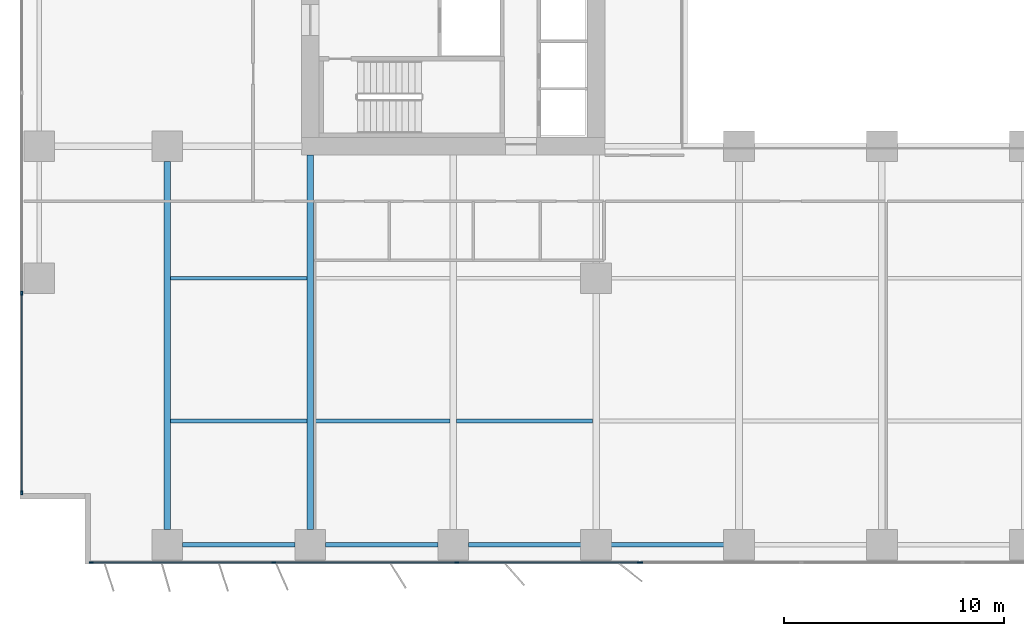
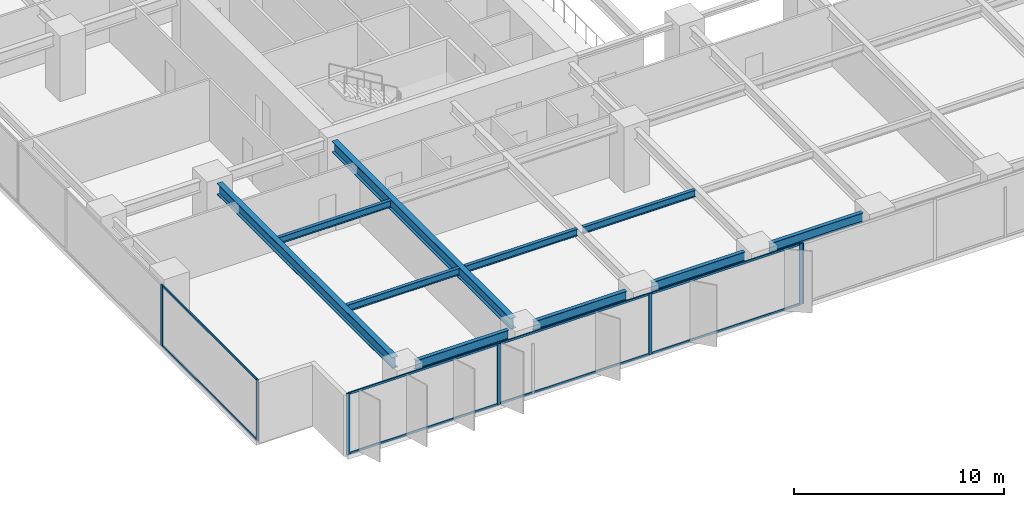
# One storey, part 2 of 20: 15 members, 10 beams, 3 elements without a shape of their own.
"""IFC4 building model written with IfcOpenShell, lengths in metres."""

from ifc_helpers import new_model, si_unit, direction, frame, origin, origin_2d, place, context, subcontext, project, spatial, rectangle, i_section, extrude, material, layer, layer_set, material_profile, profile_set, type_object, element, aggregate, save


model = new_model("IFC4")

# Units and contexts
model_context = context("Model", 3, precision=1e-05, world=origin(), true_north=direction((0.0, 1.0)))
body_context = subcontext(model_context, "Body", "Model", "MODEL_VIEW")
ifc_project = project(units=[si_unit("LENGTHUNIT", "METRE"), si_unit("AREAUNIT", "SQUARE_METRE"), si_unit("VOLUMEUNIT", "CUBIC_METRE"), si_unit("PLANEANGLEUNIT", "RADIAN"), si_unit("MASSUNIT", "GRAM", prefix="KILO")], contexts=[model_context])

# Site, building, storey
site_placement = place(None, origin())
site = spatial("IfcSite", under=ifc_project, at=site_placement, CompositionType="ELEMENT")
building_placement = place(site_placement, origin())
building = spatial("IfcBuilding", under=site, at=building_placement, Name="Putna Gate Headquarters", CompositionType="ELEMENT")
storey_placement = place(building_placement, frame((0.0, 0.0, 43.0)))
storey = spatial("IfcBuildingStorey", under=building, at=storey_placement, Name="L09", CompositionType="ELEMENT", Elevation=43.0)

# Beams
ifc_material_1 = material(Name="Steel S355J2", Category="steel")
ifc_material_profile_1 = material_profile(ifc_material_1, i_section(OverallWidth=0.300048828125, OverallDepth=0.64990234375, WebThickness=0.01611328125, FlangeThickness=0.031005859375, at=origin_2d()), Name="Steel S355J2")
ifc_profile_set_1 = profile_set([ifc_material_profile_1], Name="Steel S355J2")
beam_type_1 = type_object("IfcBeamType", Name="BM-GIRD-Z1-HEB650", PredefinedType="USERDEFINED", material=ifc_profile_set_1)
beam_1_placement = place(storey_placement, frame((6.5, 1.568115234375, 3.22509765625), z_axis=(0.0, 1.0, 0.0), x_axis=(-1.0, 0.0, 0.0)))
element("IfcBeam", 1, at=beam_1_placement, inside=storey, type_object=beam_type_1, Name="L09 South Primary Girder X6", ObjectType="GIRDER", PredefinedType="USERDEFINED", context=body_context, shape_type="SweptSolid", body=[
    extrude(i_section(OverallWidth=0.300048828125, OverallDepth=0.64990234375, WebThickness=0.01611328125, FlangeThickness=0.031005859375, at=origin_2d()), origin(), (0.0, 0.0, 1.0), 16.743896484375),
])
beam_2_placement = place(storey_placement, frame((13.0, 1.568115234375, 3.22509765625), z_axis=(0.0, 1.0, 0.0), x_axis=(-1.0, 0.0, 0.0)))
element("IfcBeam", 2, at=beam_2_placement, inside=storey, type_object=beam_type_1, Name="L09 South Primary Girder X13", ObjectType="GIRDER", PredefinedType="USERDEFINED", context=body_context, shape_type="SweptSolid", body=[
    extrude(i_section(OverallWidth=0.300048828125, OverallDepth=0.64990234375, WebThickness=0.01611328125, FlangeThickness=0.031005859375, at=origin_2d()), origin(), (0.0, 0.0, 1.0), 17.046875),
])
ifc_material_profile_2 = material_profile(ifc_material_1, i_section(OverallWidth=0.179931640625, OverallDepth=0.39990234375, WebThickness=0.008544921875, FlangeThickness=0.013427734375, at=origin_2d()), Name="Steel S355J2")
ifc_profile_set_2 = profile_set([ifc_material_profile_2], Name="Steel S355J2")
beam_type_2 = type_object("IfcBeamType", Name="BM-SEC-Z1-IPE400", PredefinedType="BEAM", material=ifc_profile_set_2)
for number, where, z_axis, x_axis, name in (
    (3, (6.654052734375, 6.5, 3.35009765625), (1.0, 0.0, 0.0), (0.0, 1.0, 0.0), "L09 South Secondary Beam 1"),
    (4, (6.654052734375, 13.0, 3.35009765625), (1.0, 0.0, 0.0), (0.0, 1.0, 0.0), "L09 South Secondary Beam 1"),
    (5, (13.154052734375, 6.5, 3.35009765625), (1.0, 0.0, 0.0), (0.0, 1.0, 0.0), "L09 South Secondary Beam 2"),
    (6, (19.654052734375, 6.5, 3.35009765625), (1.0, 0.0, 0.0), (0.0, 1.0, 0.0), "L09 South Secondary Beam 3"),
):
    element("IfcBeam", number, at=place(storey_placement, frame(where, z_axis=z_axis, x_axis=x_axis)), inside=storey, type_object=beam_type_2, Name=name, PredefinedType="BEAM", context=body_context, shape_type="SweptSolid", body=[
        extrude(i_section(OverallWidth=0.179931640625, OverallDepth=0.39990234375, WebThickness=0.008544921875, FlangeThickness=0.013427734375, at=origin_2d()), origin(), (0.0, 0.0, 1.0), 6.19189453125),
    ])
ifc_material_profile_3 = material_profile(ifc_material_1, i_section(OverallWidth=0.2099609375, OverallDepth=0.550048828125, WebThickness=0.010986328125, FlangeThickness=0.01708984375, at=origin_2d()), Name="Steel S355J2")
ifc_profile_set_3 = profile_set([ifc_material_profile_3], Name="Steel S355J2")
beam_type_3 = type_object("IfcBeamType", Name="BM-SPAN-Z1-IPE550", PredefinedType="SPANDREL", material=ifc_profile_set_3)
for number, where, z_axis, x_axis, name in (
    (7, (7.18798828125, 0.8798828125, 3.27490234375), (1.0, 0.0, 0.0), (0.0, 1.0, 0.0), "L09 S Perimeter Spandrel 1"),
    (8, (13.68798828125, 0.8798828125, 3.27490234375), (1.0, 0.0, 0.0), (0.0, 1.0, 0.0), "L09 S Perimeter Spandrel 2"),
    (9, (20.18798828125, 0.8798828125, 3.27490234375), (1.0, 0.0, 0.0), (0.0, 1.0, 0.0), "L09 S Perimeter Spandrel 3"),
    (10, (26.68798828125, 0.8798828125, 3.27490234375), (1.0, 0.0, 0.0), (0.0, 1.0, 0.0), "L09 S Perimeter Spandrel 4"),
):
    element("IfcBeam", number, at=place(storey_placement, frame(where, z_axis=z_axis, x_axis=x_axis)), inside=storey, type_object=beam_type_3, Name=name, PredefinedType="SPANDREL", context=body_context, shape_type="SweptSolid", body=[
        extrude(i_section(OverallWidth=0.2099609375, OverallDepth=0.550048828125, WebThickness=0.010986328125, FlangeThickness=0.01708984375, at=origin_2d()), origin(), (0.0, 0.0, 1.0), 5.1240234375),
    ])

# Curtain wall, members
ifc_material_2 = material(Name="Anodised bronze aluminium curtain wall", Category="aluminium")
ifc_layer_1 = layer(ifc_material_2, 0.179931640625)
ifc_layer_set_1 = layer_set([ifc_layer_1], Name="Anodised bronze aluminium curtain wall")
curtain_wall_type_1 = type_object("IfcCurtainWallType", Name="CW-SYS-Z1", PredefinedType="USERDEFINED", material=ifc_layer_set_1)
curtain_wall_1_placement = place(storey_placement, origin())
curtain_wall_1 = element("IfcCurtainWall", 11, at=curtain_wall_1_placement, inside=storey, type_object=curtain_wall_type_1, Name="L09 South West Curtain Wall", ObjectType="STICK CURTAIN WALL", PredefinedType="USERDEFINED")
ifc_material_3 = material(Name="Anodised bronze aluminium EN AW-6060", Category="aluminium")
ifc_material_profile_4 = material_profile(ifc_material_3, rectangle(XDim=0.070068359375, YDim=0.179931640625, at=origin_2d()), Name="Anodised bronze aluminium EN AW-6060")
ifc_profile_set_4 = profile_set([ifc_material_profile_4], Name="Anodised bronze aluminium EN AW-6060")
member_type_1 = type_object("IfcMemberType", Name="MULL-CWM-1", PredefinedType="MULLION", material=ifc_profile_set_4)
member_1_placement = place(storey_placement, frame((3.034912109375, 0.080078125, 0.0), z_axis=(0.0, 0.0, 1.0), x_axis=(0.0, 1.0, 0.0)))
member_1 = element("IfcMember", 12, at=member_1_placement, type_object=member_type_1, Name="CWS-1 mullion 1", PredefinedType="MULLION", context=body_context, shape_type="SweptSolid", body=[
    extrude(rectangle(XDim=0.070068359375, YDim=0.179931640625, at=origin_2d()), origin(), (0.0, 0.0, 1.0), 3.550048828125),
])
member_2_placement = place(storey_placement, frame((11.333251953125, 0.080078125, 0.0), z_axis=(0.0, 0.0, 1.0), x_axis=(0.0, 1.0, 0.0)))
member_2 = element("IfcMember", 13, at=member_2_placement, type_object=member_type_1, Name="CWS-1 mullion 2", PredefinedType="MULLION", context=body_context, shape_type="SweptSolid", body=[
    extrude(rectangle(XDim=0.070068359375, YDim=0.179931640625, at=origin_2d()), origin(), (0.0, 0.0, 1.0), 3.550048828125),
])
member_3_placement = place(storey_placement, frame((19.666748046875, 0.080078125, 0.0), z_axis=(0.0, 0.0, 1.0), x_axis=(0.0, 1.0, 0.0)))
member_3 = element("IfcMember", 14, at=member_3_placement, type_object=member_type_1, Name="CWS-1 mullion 3", PredefinedType="MULLION", context=body_context, shape_type="SweptSolid", body=[
    extrude(rectangle(XDim=0.070068359375, YDim=0.179931640625, at=origin_2d()), origin(), (0.0, 0.0, 1.0), 3.550048828125),
])
member_4_placement = place(storey_placement, frame((27.965087890625, 0.080078125, 0.0), z_axis=(0.0, 0.0, 1.0), x_axis=(0.0, 1.0, 0.0)))
member_4 = element("IfcMember", 15, at=member_4_placement, type_object=member_type_1, Name="CWS-1 mullion 4", PredefinedType="MULLION", context=body_context, shape_type="SweptSolid", body=[
    extrude(rectangle(XDim=0.070068359375, YDim=0.179931640625, at=origin_2d()), origin(), (0.0, 0.0, 1.0), 3.550048828125),
])

curtain_wall_2_placement = place(storey_placement, origin())
curtain_wall_2 = element("IfcCurtainWall", 16, at=curtain_wall_2_placement, inside=storey, type_object=curtain_wall_type_1, Name="L09 West Curtain Wall", ObjectType="STICK CURTAIN WALL", PredefinedType="USERDEFINED")
member_5_placement = place(storey_placement, frame((-0.1201171875, 3.235107421875, 0.0), z_axis=(0.0, 0.0, 1.0), x_axis=(-1.0, 0.0, 0.0)))
member_5 = element("IfcMember", 17, at=member_5_placement, type_object=member_type_1, Name="CWS-1 mullion 1", PredefinedType="MULLION", context=body_context, shape_type="SweptSolid", body=[
    extrude(rectangle(XDim=0.070068359375, YDim=0.179931640625, at=origin_2d()), origin(), (0.0, 0.0, 1.0), 3.550048828125),
])
member_6_placement = place(storey_placement, frame((-0.1201171875, 12.320068359375, 0.0), z_axis=(0.0, 0.0, 1.0), x_axis=(-1.0, 0.0, 0.0)))
member_6 = element("IfcMember", 18, at=member_6_placement, type_object=member_type_1, Name="CWS-1 mullion 2", PredefinedType="MULLION", context=body_context, shape_type="SweptSolid", body=[
    extrude(rectangle(XDim=0.070068359375, YDim=0.179931640625, at=origin_2d()), origin(), (0.0, 0.0, 1.0), 3.550048828125),
])

# Curtain wall, member
ifc_layer_2 = layer(ifc_material_2, 0.179931640625)
ifc_layer_set_2 = layer_set([ifc_layer_2], Name="Anodised bronze aluminium curtain wall")
curtain_wall_type_2 = type_object("IfcCurtainWallType", Name="CW-SYS-ATR", PredefinedType="USERDEFINED", material=ifc_layer_set_2)
curtain_wall_3_placement = place(storey_placement, origin())
curtain_wall_3 = element("IfcCurtainWall", 19, at=curtain_wall_3_placement, inside=storey, type_object=curtain_wall_type_2, Name="L09 South Atrium Clear Glazing", ObjectType="ATRIUM GLAZING", PredefinedType="USERDEFINED")
ifc_material_profile_5 = material_profile(ifc_material_3, rectangle(XDim=0.070068359375, YDim=0.179931640625, at=origin_2d()), Name="Anodised bronze aluminium EN AW-6060")
ifc_profile_set_5 = profile_set([ifc_material_profile_5], Name="Anodised bronze aluminium EN AW-6060")
member_type_2 = type_object("IfcMemberType", Name="MULL-CWM-AT", PredefinedType="MULLION", material=ifc_profile_set_5)
member_7_placement = place(storey_placement, frame((28.034912109375, 0.080078125, 0.0), z_axis=(0.0, 0.0, 1.0), x_axis=(0.0, 1.0, 0.0)))
member_7 = element("IfcMember", 20, at=member_7_placement, type_object=member_type_2, Name="CWS-AT mullion 1", PredefinedType="MULLION", context=body_context, shape_type="SweptSolid", body=[
    extrude(rectangle(XDim=0.070068359375, YDim=0.179931640625, at=origin_2d()), origin(), (0.0, 0.0, 1.0), 3.550048828125),
])
aggregate(curtain_wall_3, [member_7])

# Member
ifc_material_profile_6 = material_profile(ifc_material_3, rectangle(XDim=0.06494140625, YDim=0.1201171875, at=origin_2d()), Name="Anodised bronze aluminium EN AW-6060")
ifc_profile_set_6 = profile_set([ifc_material_profile_6], Name="Anodised bronze aluminium EN AW-6060")
member_type_3 = type_object("IfcMemberType", Name="TRAN-CWT-1", PredefinedType="USERDEFINED", material=ifc_profile_set_6)
member_8_placement = place(storey_placement, frame((3.070068359375, 0.080078125, 0.032470703125), z_axis=(1.0, 0.0, 0.0), x_axis=(0.0, 1.0, 0.0)))
member_8 = element("IfcMember", 21, at=member_8_placement, type_object=member_type_3, Name="CWS-1 transom 1.1", ObjectType="TRANSOM", PredefinedType="USERDEFINED", context=body_context, shape_type="SweptSolid", body=[
    extrude(rectangle(XDim=0.06494140625, YDim=0.1201171875, at=origin_2d()), origin(), (0.0, 0.0, 1.0), 8.228271484375),
])

member_9_placement = place(storey_placement, frame((3.070068359375, 0.080078125, 3.517578125), z_axis=(1.0, 0.0, 0.0), x_axis=(0.0, 1.0, 0.0)))
member_9 = element("IfcMember", 22, at=member_9_placement, type_object=member_type_3, Name="CWS-1 transom 1.2", ObjectType="TRANSOM", PredefinedType="USERDEFINED", context=body_context, shape_type="SweptSolid", body=[
    extrude(rectangle(XDim=0.06494140625, YDim=0.1201171875, at=origin_2d()), origin(), (0.0, 0.0, 1.0), 8.228271484375),
])

member_10_placement = place(storey_placement, frame((11.368408203125, 0.080078125, 0.032470703125), z_axis=(1.0, 0.0, 0.0), x_axis=(0.0, 1.0, 0.0)))
member_10 = element("IfcMember", 23, at=member_10_placement, type_object=member_type_3, Name="CWS-1 transom 2.1", ObjectType="TRANSOM", PredefinedType="USERDEFINED", context=body_context, shape_type="SweptSolid", body=[
    extrude(rectangle(XDim=0.06494140625, YDim=0.1201171875, at=origin_2d()), origin(), (0.0, 0.0, 1.0), 8.26318359375),
])

member_11_placement = place(storey_placement, frame((11.368408203125, 0.080078125, 3.517578125), z_axis=(1.0, 0.0, 0.0), x_axis=(0.0, 1.0, 0.0)))
member_11 = element("IfcMember", 24, at=member_11_placement, type_object=member_type_3, Name="CWS-1 transom 2.2", ObjectType="TRANSOM", PredefinedType="USERDEFINED", context=body_context, shape_type="SweptSolid", body=[
    extrude(rectangle(XDim=0.06494140625, YDim=0.1201171875, at=origin_2d()), origin(), (0.0, 0.0, 1.0), 8.26318359375),
])

member_12_placement = place(storey_placement, frame((19.70166015625, 0.080078125, 0.032470703125), z_axis=(1.0, 0.0, 0.0), x_axis=(0.0, 1.0, 0.0)))
member_12 = element("IfcMember", 25, at=member_12_placement, type_object=member_type_3, Name="CWS-1 transom 3.1", ObjectType="TRANSOM", PredefinedType="USERDEFINED", context=body_context, shape_type="SweptSolid", body=[
    extrude(rectangle(XDim=0.06494140625, YDim=0.1201171875, at=origin_2d()), origin(), (0.0, 0.0, 1.0), 8.228271484375),
])

member_13_placement = place(storey_placement, frame((19.70166015625, 0.080078125, 3.517578125), z_axis=(1.0, 0.0, 0.0), x_axis=(0.0, 1.0, 0.0)))
member_13 = element("IfcMember", 26, at=member_13_placement, type_object=member_type_3, Name="CWS-1 transom 3.2", ObjectType="TRANSOM", PredefinedType="USERDEFINED", context=body_context, shape_type="SweptSolid", body=[
    extrude(rectangle(XDim=0.06494140625, YDim=0.1201171875, at=origin_2d()), origin(), (0.0, 0.0, 1.0), 8.228271484375),
])

aggregate(curtain_wall_1, [member_1, member_2, member_3, member_4, member_8, member_9, member_10, member_11, member_12, member_13])

member_14_placement = place(storey_placement, frame((-0.1201171875, 3.27001953125, 0.032470703125), z_axis=(0.0, 1.0, 0.0), x_axis=(-1.0, 0.0, 0.0)))
member_14 = element("IfcMember", 27, at=member_14_placement, type_object=member_type_3, Name="CWS-1 transom 1.1", ObjectType="TRANSOM", PredefinedType="USERDEFINED", context=body_context, shape_type="SweptSolid", body=[
    extrude(rectangle(XDim=0.06494140625, YDim=0.1201171875, at=origin_2d()), origin(), (0.0, 0.0, 1.0), 9.014892578125),
])

member_15_placement = place(storey_placement, frame((-0.1201171875, 3.27001953125, 3.517578125), z_axis=(0.0, 1.0, 0.0), x_axis=(-1.0, 0.0, 0.0)))
member_15 = element("IfcMember", 28, at=member_15_placement, type_object=member_type_3, Name="CWS-1 transom 1.2", ObjectType="TRANSOM", PredefinedType="USERDEFINED", context=body_context, shape_type="SweptSolid", body=[
    extrude(rectangle(XDim=0.06494140625, YDim=0.1201171875, at=origin_2d()), origin(), (0.0, 0.0, 1.0), 9.014892578125),
])

aggregate(curtain_wall_2, [member_5, member_6, member_14, member_15])

save(model, "model.ifc")
